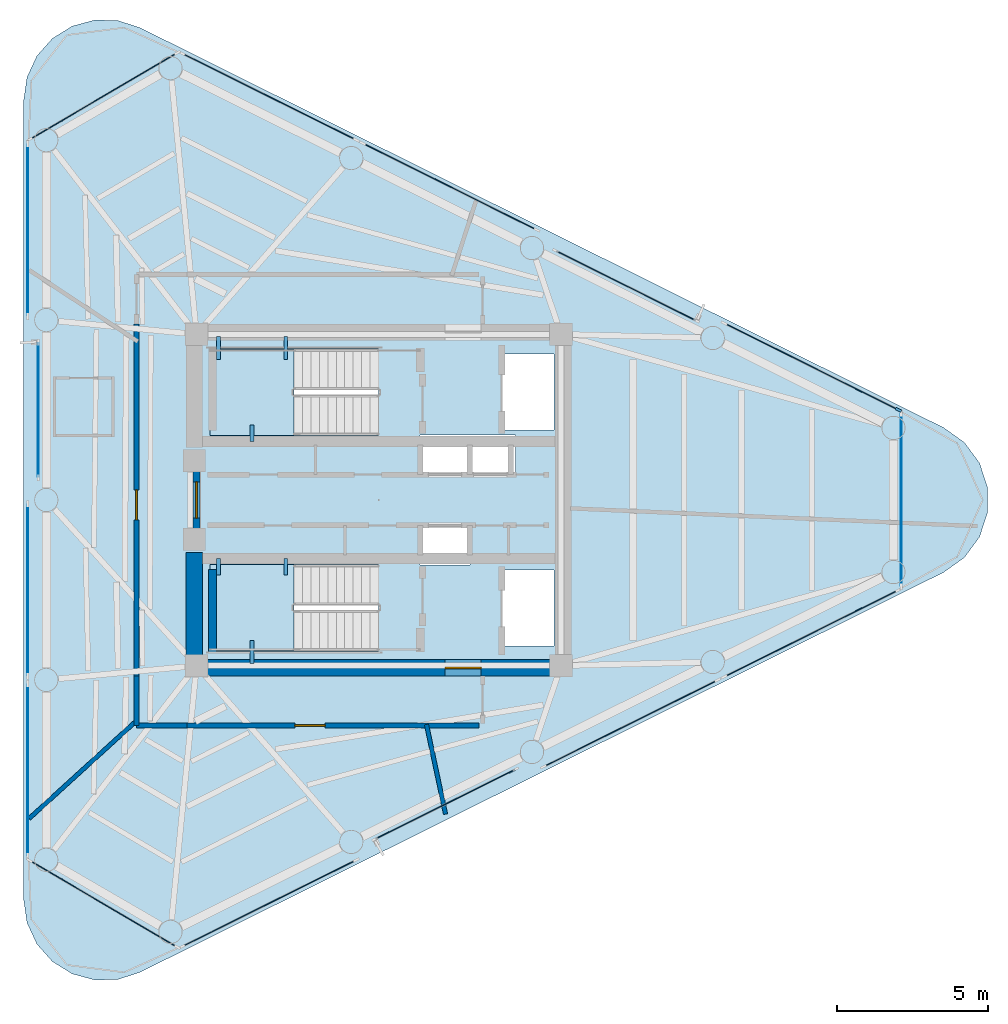
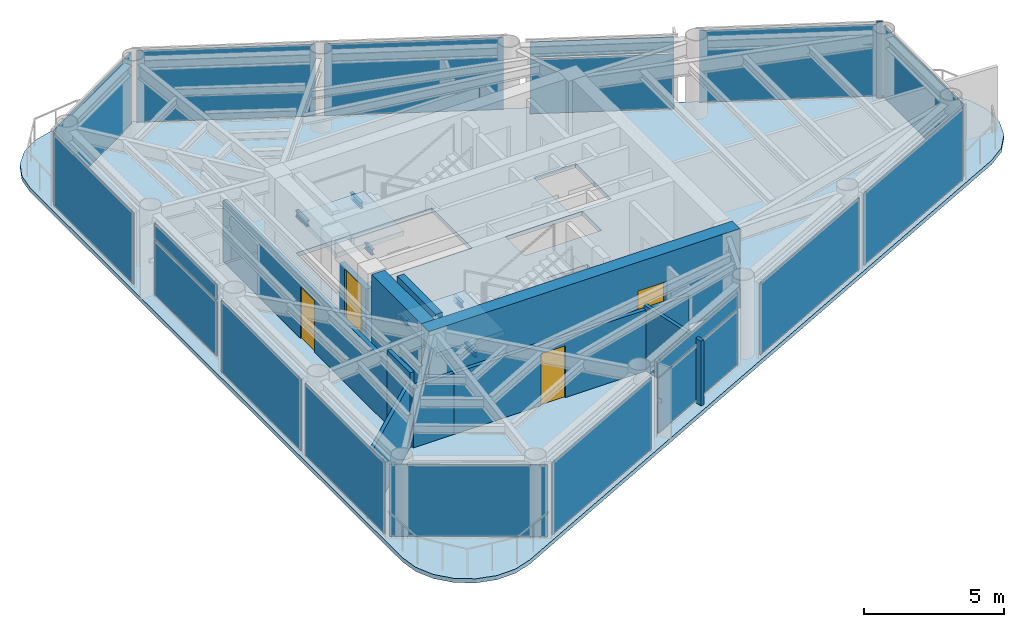
# One storey, part 4 of 10: 18 plates, 10 walls, 6 beams, 4 doors, 3 slabs, 1 member, 4 openings, 17 elements without a shape of their own.
"""IFC4 building model written with IfcOpenShell, lengths in metres."""

from ifc_helpers import new_model, si_unit, direction, frame, frame_2d, origin, origin_2d, place, context, subcontext, project, spatial, polyline, rectangle, i_section, outline, extrude, source, transform, mapped, material, layer, layer_set, material_profile, profile_set, type_object, element, fill, aggregate, save


model = new_model("IFC4")

# Units and contexts
model_context = context("Model", 3, precision=1e-05, world=origin(), true_north=direction((0.0, 1.0)))
body_context = subcontext(model_context, "Body", "Model", "MODEL_VIEW")
ifc_project = project(units=[si_unit("LENGTHUNIT", "METRE"), si_unit("AREAUNIT", "SQUARE_METRE"), si_unit("VOLUMEUNIT", "CUBIC_METRE"), si_unit("PLANEANGLEUNIT", "RADIAN"), si_unit("MASSUNIT", "GRAM", prefix="KILO")], contexts=[model_context])

# Site, building, storey
site_placement = place(None, origin())
site = spatial("IfcSite", under=ifc_project, at=site_placement, CompositionType="ELEMENT")
building_placement = place(site_placement, origin())
building = spatial("IfcBuilding", under=site, at=building_placement, Name="Yunling Apex Tower", CompositionType="ELEMENT")
storey_placement = place(building_placement, frame((0.0, 0.0, 296.75)))
storey = spatial("IfcBuildingStorey", under=building, at=storey_placement, Name="L72", CompositionType="ELEMENT", Elevation=296.75)

# Beams
ifc_material_1 = material(Name="Steel Q355B", Category="steel")
ifc_material_profile_1 = material_profile(ifc_material_1, i_section(OverallWidth=0.125, OverallDepth=0.25, WebThickness=0.006103515625, FlangeThickness=0.009033203125, FilletRadius=0.011962890625, at=origin_2d()))
ifc_profile_set_1 = profile_set([ifc_material_profile_1], Name="Steel Q355B")
beam_type = type_object("IfcBeamType", Name="BL-LNT-1", PredefinedType="LINTEL", material=ifc_profile_set_1)
shared_shape_1 = source(origin(), body_context, "Body", "SweptSolid", [
    extrude(i_section(OverallWidth=0.125, OverallDepth=0.25, WebThickness=0.006103515625, FlangeThickness=0.009033203125, FilletRadius=0.011962890625, at=origin_2d()), origin(), (0.0, 0.0, 1.0), 0.760009765625),
])
for number, where, z_axis, x_axis, name in (
    (1, (-5.320068359375, 5.419921875, 1.405029296875), (0.0, -1.0, 0.0), (1.0, 0.0, 0.0), "L72 ST-1 Landing Bearing Corbel 1-1"),
    (2, (-3.090087890625, 5.419921875, 1.405029296875), (0.0, -1.0, 0.0), (1.0, 0.0, 0.0), "L72 ST-1 Landing Bearing Corbel 1-2"),
    (3, (-4.205078125, -5.419921875, 1.405029296875), (0.0, 1.0, 0.0), (-1.0, 0.0, 0.0), "L72 ST-2 Landing Bearing Corbel 1-3"),
):
    element("IfcBeam", number, at=place(storey_placement, frame(where, z_axis=z_axis, x_axis=x_axis)), inside=storey, type_object=beam_type, Name=name, PredefinedType="LINTEL", context=body_context, shape_type="MappedRepresentation", body=[
        mapped(shared_shape_1, transform((0.0, 0.0, 0.0), scale=1.0)),
    ])
shared_shape_2 = source(origin(), body_context, "Body", "SweptSolid", [
    extrude(i_section(OverallWidth=0.125, OverallDepth=0.25, WebThickness=0.006103515625, FlangeThickness=0.009033203125, FilletRadius=0.011962890625, at=origin_2d()), origin(), (0.0, 0.0, 1.0), 0.550048828125),
])
for number, where, z_axis, x_axis, name in (
    (4, (-4.205078125, 1.93994140625, 1.405029296875), (0.0, 1.0, 0.0), (-1.0, 0.0, 0.0), "L72 ST-1 Landing Bearing Corbel 1-3"),
    (5, (-5.320068359375, -1.93994140625, 1.405029296875), (0.0, -1.0, 0.0), (1.0, 0.0, 0.0), "L72 ST-2 Landing Bearing Corbel 1-1"),
    (6, (-3.090087890625, -1.93994140625, 1.405029296875), (0.0, -1.0, 0.0), (1.0, 0.0, 0.0), "L72 ST-2 Landing Bearing Corbel 1-2"),
):
    element("IfcBeam", number, at=place(storey_placement, frame(where, z_axis=z_axis, x_axis=x_axis)), inside=storey, type_object=beam_type, Name=name, PredefinedType="LINTEL", context=body_context, shape_type="MappedRepresentation", body=[
        mapped(shared_shape_2, transform((0.0, 0.0, 0.0), scale=1.0)),
    ])

# Curtain wall, member
ifc_material_2 = material(Name="Bronze anodised aluminium", Category="aluminium")
ifc_layer_1 = layer(ifc_material_2, 0.219970703125)
ifc_layer_set_1 = layer_set([ifc_layer_1], Name="Bronze anodised aluminium")
curtain_wall_type = type_object("IfcCurtainWallType", Name="CW-SYS-4", PredefinedType="NOTDEFINED", material=ifc_layer_set_1)
curtain_wall_1_placement = place(storey_placement, origin())
curtain_wall_1 = element("IfcCurtainWall", 7, at=curtain_wall_1_placement, inside=storey, type_object=curtain_wall_type, Name="CW-L72-F2-B1", PredefinedType="NOTDEFINED")
ifc_material_profile_2 = material_profile(ifc_material_2, rectangle(XDim=0.080078125, YDim=0.219970703125, at=origin_2d()))
ifc_profile_set_2 = profile_set([ifc_material_profile_2], Name="Bronze anodised aluminium")
member_type = type_object("IfcMemberType", Name="CW-MUL-4", PredefinedType="MULLION", material=ifc_profile_set_2)
shared_shape_3 = source(origin(), body_context, "Body", "SweptSolid", [
    extrude(rectangle(XDim=0.080078125, YDim=0.219970703125, at=origin_2d()), origin(), (0.0, 0.0, 1.0), 3.3701171875),
])
member_placement = place(storey_placement, frame((17.2509765625, 2.990966796875, -0.050048828125), z_axis=(0.0, 0.0, 1.0), x_axis=(-0.445568135078, -0.895248030996, 0.0)))
member = element("IfcMember", 8, at=member_placement, type_object=member_type, Name="CW-SYS-4 mullion 1", PredefinedType="MULLION", context=body_context, shape_type="MappedRepresentation", body=[
    mapped(shared_shape_3, transform((0.0, 0.0, 0.0), scale=1.0)),
])

# Slab
ifc_material_3 = material(Name="Concrete C40", Category="concrete")
ifc_layer_2 = layer(ifc_material_3, 0.155029296875)
ifc_layer_set_2 = layer_set([ifc_layer_2], Name="Concrete C40")
slab_type_1 = type_object("IfcSlabType", Name="SL-FLR-3", PredefinedType="FLOOR", material=ifc_layer_set_2)
slab_1_placement = place(storey_placement, frame((0.0, 0.0, -0.179931640625)))
element("IfcSlab", 9, at=slab_1_placement, inside=storey, type_object=slab_type_1, Name="L72 Composite Tower Floor Slab", PredefinedType="FLOOR", context=body_context, shape_type="SweptSolid", body=[
    extrude(outline(polyline([(-11.787353515625, -13.2724609375), (-11.675048828125, -14.039794921875), (-11.347900390625, -14.742919921875), (-10.833251953125, -15.322998046875), (-10.173828125, -15.731201171875), (-9.42529296875, -15.93359375), (-8.650146484375, -15.913330078125), (-7.9130859375, -15.671875), (18.754150390625, -2.3994140625), (19.442138671875, -1.90771484375), (19.94287109375, -1.226318359375), (20.206298828125, -0.4228515625), (20.206298828125, 0.4228515625), (19.94287109375, 1.226318359375), (19.442138671875, 1.90771484375), (18.754150390625, 2.3994140625), (-7.9130859375, 15.671875), (-8.650146484375, 15.913330078125), (-9.42529296875, 15.93359375), (-10.173828125, 15.731201171875), (-10.833251953125, 15.322998046875), (-11.347900390625, 14.742919921875), (-11.675048828125, 14.039794921875), (-11.787353515625, 13.2724609375), (-11.787353515625, -13.2724609375)]), holes=[polyline([(4.090087890625, 4.840087890625), (5.81005859375, 4.840087890625), (5.81005859375, 2.320068359375), (4.090087890625, 2.320068359375), (4.090087890625, 4.840087890625)]), polyline([(4.090087890625, -4.840087890625), (4.090087890625, -2.320068359375), (5.81005859375, -2.320068359375), (5.81005859375, -4.840087890625), (4.090087890625, -4.840087890625)]), polyline([(4.534912109375, 0.794921875), (1.364990234375, 0.794921875), (1.364990234375, 2.1650390625), (4.534912109375, 2.1650390625), (4.534912109375, 0.794921875)]), polyline([(1.364990234375, -0.794921875), (3.034912109375, -0.794921875), (3.034912109375, -2.1650390625), (1.364990234375, -2.1650390625), (1.364990234375, -0.794921875)]), polyline([(-0.010009765625, -5.010009765625), (-5.60009765625, -5.010009765625), (-5.60009765625, -2.139892578125), (-0.010009765625, -2.139892578125), (-0.010009765625, -5.010009765625)]), polyline([(-0.010009765625, 2.139892578125), (-5.60009765625, 2.139892578125), (-5.60009765625, 5.010009765625), (-0.010009765625, 5.010009765625), (-0.010009765625, 2.139892578125)])]), origin(), (0.0, 0.0, 1.0), 0.179931640625),
])

# Stair, slab
stair_type = type_object("IfcStairType", Name="ST-TWR-3", PredefinedType="HALF_TURN_STAIR", material=ifc_material_3)
stair_1_placement = place(storey_placement, origin())
stair_1 = element("IfcStair", 10, at=stair_1_placement, inside=storey, type_object=stair_type, Name="L72 North Core Smokeproof Exit Stair ST-1", PredefinedType="HALF_TURN_STAIR")
ifc_layer_3 = layer(ifc_material_3, 0.195068359375)
ifc_layer_set_3 = layer_set([ifc_layer_3], Name="Concrete C40")
slab_type_2 = type_object("IfcSlabType", Name="SL-LND-1", PredefinedType="LANDING", material=ifc_layer_set_3)
slab_2_placement = place(storey_placement, frame((0.0, 0.0, 1.530029296875)))
slab_2 = element("IfcSlab", 11, at=slab_2_placement, type_object=slab_type_2, Name="ST-1 landing 1", PredefinedType="LANDING", context=body_context, shape_type="SweptSolid", body=[
    extrude(outline(polyline([(-2.81005859375, 5.010009765625), (-5.60009765625, 5.010009765625), (-5.60009765625, 2.139892578125), (-2.81005859375, 2.139892578125), (-2.81005859375, 5.010009765625)])), origin(), (0.0, 0.0, 1.0), 0.195068359375),
])
aggregate(stair_1, [slab_2])

stair_2_placement = place(storey_placement, origin())
stair_2 = element("IfcStair", 12, at=stair_2_placement, inside=storey, type_object=stair_type, Name="L72 South Core Smokeproof Exit Stair ST-2", PredefinedType="HALF_TURN_STAIR")
slab_3_placement = place(storey_placement, frame((0.0, 0.0, 1.530029296875)))
slab_3 = element("IfcSlab", 13, at=slab_3_placement, type_object=slab_type_2, Name="ST-2 landing 1", PredefinedType="LANDING", context=body_context, shape_type="SweptSolid", body=[
    extrude(outline(polyline([(-2.81005859375, -2.139892578125), (-5.60009765625, -2.139892578125), (-5.60009765625, -5.010009765625), (-2.81005859375, -5.010009765625), (-2.81005859375, -2.139892578125)])), origin(), (0.0, 0.0, 1.0), 0.195068359375),
])
aggregate(stair_2, [slab_3])

# Curtain wall, plate
curtain_wall_2_placement = place(storey_placement, origin())
curtain_wall_2 = element("IfcCurtainWall", 14, at=curtain_wall_2_placement, inside=storey, type_object=curtain_wall_type, Name="CW-L72-F1-B1", PredefinedType="NOTDEFINED")
ifc_material_4 = material(Name="Bronze tinted low-E glass", Category="glass")
ifc_layer_4 = layer(ifc_material_4, 0.030029296875)
ifc_layer_set_4 = layer_set([ifc_layer_4], Name="Bronze tinted low-E glass")
plate_type = type_object("IfcPlateType", Name="CW-PNL-4", PredefinedType="CURTAIN_PANEL", material=ifc_layer_set_4)
shared_shape_4 = source(origin(), body_context, "Body", "SweptSolid", [
    extrude(rectangle(XDim=6.398193359375, YDim=0.030029296875, at=origin_2d()), origin(), (0.0, 0.0, 1.0), 3.1259765625),
])
plate_1_placement = place(storey_placement, frame((-3.64208984375, -13.3896484375, 0.072021484375), z_axis=(0.0, 0.0, 1.0), x_axis=(0.895248030996, 0.445568135078, 0.0)))
plate_1 = element("IfcPlate", 15, at=plate_1_placement, type_object=plate_type, Name="CW-SYS-4 panel 1.1", PredefinedType="CURTAIN_PANEL", context=body_context, shape_type="MappedRepresentation", body=[
    mapped(shared_shape_4, transform((0.0, 0.0, 0.0), scale=1.0)),
])
aggregate(curtain_wall_2, [plate_1])

curtain_wall_3_placement = place(storey_placement, origin())
curtain_wall_3 = element("IfcCurtainWall", 16, at=curtain_wall_3_placement, inside=storey, type_object=curtain_wall_type, Name="CW-L72-F1-B3", PredefinedType="NOTDEFINED")
plate_2_placement = place(storey_placement, frame((8.358154296875, -7.4169921875, 0.072021484375), z_axis=(0.0, 0.0, 1.0), x_axis=(0.895241933715, 0.445580385698, 0.0)))
plate_2 = element("IfcPlate", 17, at=plate_2_placement, type_object=plate_type, Name="CW-SYS-4 panel 1.1", PredefinedType="CURTAIN_PANEL", context=body_context, shape_type="MappedRepresentation", body=[
    mapped(shared_shape_4, transform((0.0, 0.0, 0.0), scale=1.0)),
])
aggregate(curtain_wall_3, [plate_2])

curtain_wall_4_placement = place(storey_placement, origin())
curtain_wall_4 = element("IfcCurtainWall", 18, at=curtain_wall_4_placement, inside=storey, type_object=curtain_wall_type, Name="CW-L72-F1-B4", PredefinedType="NOTDEFINED")
plate_3_placement = place(storey_placement, frame((14.358154296875, -4.4306640625, 0.072021484375), z_axis=(0.0, 0.0, 1.0), x_axis=(0.895248030996, 0.445568135078, 0.0)))
plate_3 = element("IfcPlate", 19, at=plate_3_placement, type_object=plate_type, Name="CW-SYS-4 panel 1.1", PredefinedType="CURTAIN_PANEL", context=body_context, shape_type="MappedRepresentation", body=[
    mapped(shared_shape_4, transform((0.0, 0.0, 0.0), scale=1.0)),
])
aggregate(curtain_wall_4, [plate_3])

# Plate
plate_4_placement = place(storey_placement, frame((14.358154296875, 4.4306640625, 0.072021484375), z_axis=(0.0, 0.0, 1.0), x_axis=(-0.895248030996, 0.445568135078, 0.0)))
plate_4 = element("IfcPlate", 20, at=plate_4_placement, type_object=plate_type, Name="CW-SYS-4 panel 1.1", PredefinedType="CURTAIN_PANEL", context=body_context, shape_type="MappedRepresentation", body=[
    mapped(shared_shape_4, transform((0.0, 0.0, 0.0), scale=1.0)),
])

aggregate(curtain_wall_1, [member, plate_4])

# Curtain wall, plate
curtain_wall_5_placement = place(storey_placement, origin())
curtain_wall_5 = element("IfcCurtainWall", 21, at=curtain_wall_5_placement, inside=storey, type_object=curtain_wall_type, Name="CW-L72-F2-B3", PredefinedType="NOTDEFINED")
plate_5_placement = place(storey_placement, frame((2.35791015625, 10.4033203125, 0.072021484375), z_axis=(0.0, 0.0, 1.0), x_axis=(-0.895251065549, 0.445562037917, 0.0)))
plate_5 = element("IfcPlate", 22, at=plate_5_placement, type_object=plate_type, Name="CW-SYS-4 panel 1.1", PredefinedType="CURTAIN_PANEL", context=body_context, shape_type="MappedRepresentation", body=[
    mapped(shared_shape_4, transform((0.0, 0.0, 0.0), scale=1.0)),
])
aggregate(curtain_wall_5, [plate_5])

curtain_wall_6_placement = place(storey_placement, origin())
curtain_wall_6 = element("IfcCurtainWall", 23, at=curtain_wall_6_placement, inside=storey, type_object=curtain_wall_type, Name="CW-L72-F2-B4", PredefinedType="NOTDEFINED")
plate_6_placement = place(storey_placement, frame((-3.64208984375, 13.3896484375, 0.072021484375), z_axis=(0.0, 0.0, 1.0), x_axis=(-0.895248030996, 0.445568135078, 0.0)))
plate_6 = element("IfcPlate", 24, at=plate_6_placement, type_object=plate_type, Name="CW-SYS-4 panel 1.1", PredefinedType="CURTAIN_PANEL", context=body_context, shape_type="MappedRepresentation", body=[
    mapped(shared_shape_4, transform((0.0, 0.0, 0.0), scale=1.0)),
])
aggregate(curtain_wall_6, [plate_6])

curtain_wall_7_placement = place(storey_placement, origin())
curtain_wall_7 = element("IfcCurtainWall", 25, at=curtain_wall_7_placement, inside=storey, type_object=curtain_wall_type, Name="CW-L72-F1-B2", PredefinedType="NOTDEFINED")
shared_shape_5 = source(origin(), body_context, "Body", "SweptSolid", [
    extrude(rectangle(XDim=5.158203125, YDim=0.030029296875, at=origin_2d()), origin(), (0.0, 0.0, 1.0), 2.381103515625),
])
plate_7_placement = place(storey_placement, frame((2.20654296875, -10.09912109375, 0.072265625), z_axis=(0.0, 0.0, 1.0), x_axis=(0.895251720611, 0.445560721723, 0.0)))
plate_7 = element("IfcPlate", 26, at=plate_7_placement, type_object=plate_type, Name="CW-SYS-4 panel 1.1", PredefinedType="CURTAIN_PANEL", context=body_context, shape_type="MappedRepresentation", body=[
    mapped(shared_shape_5, transform((0.0, 0.0, 0.0), scale=1.0)),
])

curtain_wall_8_placement = place(storey_placement, origin())
curtain_wall_8 = element("IfcCurtainWall", 27, at=curtain_wall_8_placement, inside=storey, type_object=curtain_wall_type, Name="CW-L72-F2-B2", PredefinedType="NOTDEFINED")
plate_8_placement = place(storey_placement, frame((8.206787109375, 7.11279296875, 0.072265625), z_axis=(0.0, 0.0, 1.0), x_axis=(-0.895240453185, 0.445583360305, 0.0)))
plate_8 = element("IfcPlate", 28, at=plate_8_placement, type_object=plate_type, Name="CW-SYS-4 panel 1.1", PredefinedType="CURTAIN_PANEL", context=body_context, shape_type="MappedRepresentation", body=[
    mapped(shared_shape_5, transform((0.0, 0.0, 0.0), scale=1.0)),
])

# Plate
shared_shape_6 = source(origin(), body_context, "Body", "SweptSolid", [
    extrude(rectangle(XDim=5.158203125, YDim=0.030029296875, at=origin_2d()), origin(), (0.0, 0.0, 1.0), 0.680908203125),
])
plate_9_placement = place(storey_placement, frame((2.20654296875, -10.09912109375, 2.51708984375), z_axis=(0.0, 0.0, 1.0), x_axis=(0.895251720611, 0.445560721723, 0.0)))
plate_9 = element("IfcPlate", 29, at=plate_9_placement, type_object=plate_type, Name="CW-SYS-4 panel 1.2", PredefinedType="CURTAIN_PANEL", context=body_context, shape_type="MappedRepresentation", body=[
    mapped(shared_shape_6, transform((0.0, 0.0, 0.0), scale=1.0)),
])

aggregate(curtain_wall_7, [plate_7, plate_9])

plate_10_placement = place(storey_placement, frame((8.206787109375, 7.11279296875, 2.51708984375), z_axis=(0.0, 0.0, 1.0), x_axis=(-0.895240453185, 0.445583360305, 0.0)))
plate_10 = element("IfcPlate", 30, at=plate_10_placement, type_object=plate_type, Name="CW-SYS-4 panel 1.2", PredefinedType="CURTAIN_PANEL", context=body_context, shape_type="MappedRepresentation", body=[
    mapped(shared_shape_6, transform((0.0, 0.0, 0.0), scale=1.0)),
])

aggregate(curtain_wall_8, [plate_8, plate_10])

# Curtain wall, plate
curtain_wall_9_placement = place(storey_placement, origin())
curtain_wall_9 = element("IfcCurtainWall", 31, at=curtain_wall_9_placement, inside=storey, type_object=curtain_wall_type, Name="CW-L72-CRN1", PredefinedType="NOTDEFINED")
shared_shape_7 = source(origin(), body_context, "Body", "SweptSolid", [
    extrude(rectangle(XDim=5.6953125, YDim=0.030029296875, at=origin_2d()), origin(), (0.0, 0.0, 1.0), 3.1259765625),
])
plate_11_placement = place(storey_placement, frame((17.349365234375, 0.0, 0.072021484375), z_axis=(0.0, 0.0, 1.0), x_axis=(0.0, 1.0, 0.0)))
plate_11 = element("IfcPlate", 32, at=plate_11_placement, type_object=plate_type, Name="CW-SYS-4 panel 1.1", PredefinedType="CURTAIN_PANEL", context=body_context, shape_type="MappedRepresentation", body=[
    mapped(shared_shape_7, transform((0.0, 0.0, 0.0), scale=1.0)),
])
aggregate(curtain_wall_9, [plate_11])

curtain_wall_10_placement = place(storey_placement, origin())
curtain_wall_10 = element("IfcCurtainWall", 33, at=curtain_wall_10_placement, inside=storey, type_object=curtain_wall_type, Name="CW-L72-CRN2", PredefinedType="NOTDEFINED")
shared_shape_8 = source(origin(), body_context, "Body", "SweptSolid", [
    extrude(rectangle(XDim=5.62548828125, YDim=0.030029296875, at=origin_2d()), origin(), (0.0, 0.0, 1.0), 3.1259765625),
])
plate_12_placement = place(storey_placement, frame((-9.13916015625, 13.405029296875, 0.072021484375), z_axis=(0.0, 0.0, 1.0), x_axis=(-0.862499991399, -0.506057076658, 0.0)))
plate_12 = element("IfcPlate", 34, at=plate_12_placement, type_object=plate_type, Name="CW-SYS-4 panel 1.1", PredefinedType="CURTAIN_PANEL", context=body_context, shape_type="MappedRepresentation", body=[
    mapped(shared_shape_8, transform((0.0, 0.0, 0.0), scale=1.0)),
])
aggregate(curtain_wall_10, [plate_12])

curtain_wall_11_placement = place(storey_placement, origin())
curtain_wall_11 = element("IfcCurtainWall", 35, at=curtain_wall_11_placement, inside=storey, type_object=curtain_wall_type, Name="CW-L72-CRN3", PredefinedType="NOTDEFINED")
plate_13_placement = place(storey_placement, frame((-9.13916015625, -13.405029296875, 0.072021484375), z_axis=(0.0, 0.0, 1.0), x_axis=(0.862492426173, -0.506069970256, 0.0)))
plate_13 = element("IfcPlate", 36, at=plate_13_placement, type_object=plate_type, Name="CW-SYS-4 panel 1.1", PredefinedType="CURTAIN_PANEL", context=body_context, shape_type="MappedRepresentation", body=[
    mapped(shared_shape_8, transform((0.0, 0.0, 0.0), scale=1.0)),
])
aggregate(curtain_wall_11, [plate_13])

curtain_wall_12_placement = place(storey_placement, origin())
curtain_wall_12 = element("IfcCurtainWall", 37, at=curtain_wall_12_placement, inside=storey, type_object=curtain_wall_type, Name="CW-L72-F3-B1", PredefinedType="NOTDEFINED")
shared_shape_9 = source(origin(), body_context, "Body", "SweptSolid", [
    extrude(rectangle(XDim=5.668701171875, YDim=0.030029296875, at=origin_2d()), origin(), (0.0, 0.0, 1.0), 3.1259765625),
])
plate_14_placement = place(storey_placement, frame((-11.647216796875, 8.958984375, 0.072021484375), z_axis=(0.0, 0.0, 1.0), x_axis=(0.0, -1.0, 0.0)))
plate_14 = element("IfcPlate", 38, at=plate_14_placement, type_object=plate_type, Name="CW-SYS-4 panel 1.1", PredefinedType="CURTAIN_PANEL", context=body_context, shape_type="MappedRepresentation", body=[
    mapped(shared_shape_9, transform((0.0, 0.0, 0.0), scale=1.0)),
])
aggregate(curtain_wall_12, [plate_14])

curtain_wall_13_placement = place(storey_placement, origin())
curtain_wall_13 = element("IfcCurtainWall", 39, at=curtain_wall_13_placement, inside=storey, type_object=curtain_wall_type, Name="CW-L72-F3-B3", PredefinedType="NOTDEFINED")
plate_15_placement = place(storey_placement, frame((-11.647216796875, -2.986328125, 0.072021484375), z_axis=(0.0, 0.0, 1.0), x_axis=(0.0, -1.0, 0.0)))
plate_15 = element("IfcPlate", 40, at=plate_15_placement, type_object=plate_type, Name="CW-SYS-4 panel 1.1", PredefinedType="CURTAIN_PANEL", context=body_context, shape_type="MappedRepresentation", body=[
    mapped(shared_shape_9, transform((0.0, 0.0, 0.0), scale=1.0)),
])
aggregate(curtain_wall_13, [plate_15])

curtain_wall_14_placement = place(storey_placement, origin())
curtain_wall_14 = element("IfcCurtainWall", 41, at=curtain_wall_14_placement, inside=storey, type_object=curtain_wall_type, Name="CW-L72-F3-B4", PredefinedType="NOTDEFINED")
plate_16_placement = place(storey_placement, frame((-11.647216796875, -8.958984375, 0.072021484375), z_axis=(0.0, 0.0, 1.0), x_axis=(0.0, -1.0, 0.0)))
plate_16 = element("IfcPlate", 42, at=plate_16_placement, type_object=plate_type, Name="CW-SYS-4 panel 1.1", PredefinedType="CURTAIN_PANEL", context=body_context, shape_type="MappedRepresentation", body=[
    mapped(shared_shape_9, transform((0.0, 0.0, 0.0), scale=1.0)),
])
aggregate(curtain_wall_14, [plate_16])

# Curtain wall, plates
curtain_wall_15_placement = place(storey_placement, origin())
curtain_wall_15 = element("IfcCurtainWall", 43, at=curtain_wall_15_placement, inside=storey, type_object=curtain_wall_type, Name="CW-L72-F3-B2", PredefinedType="NOTDEFINED")
shared_shape_10 = source(origin(), body_context, "Body", "SweptSolid", [
    extrude(rectangle(XDim=4.4287109375, YDim=0.030029296875, at=origin_2d()), origin(), (0.0, 0.0, 1.0), 2.381103515625),
])
plate_17_placement = place(storey_placement, frame((-11.307373046875, 2.986328125, 0.072265625), z_axis=(0.0, 0.0, 1.0), x_axis=(0.0, -1.0, 0.0)))
plate_17 = element("IfcPlate", 44, at=plate_17_placement, type_object=plate_type, Name="CW-SYS-4 panel 1.1", PredefinedType="CURTAIN_PANEL", context=body_context, shape_type="MappedRepresentation", body=[
    mapped(shared_shape_10, transform((0.0, 0.0, 0.0), scale=1.0)),
])
shared_shape_11 = source(origin(), body_context, "Body", "SweptSolid", [
    extrude(rectangle(XDim=4.4287109375, YDim=0.030029296875, at=origin_2d()), origin(), (0.0, 0.0, 1.0), 0.680908203125),
])
plate_18_placement = place(storey_placement, frame((-11.307373046875, 2.986328125, 2.51708984375), z_axis=(0.0, 0.0, 1.0), x_axis=(0.0, -1.0, 0.0)))
plate_18 = element("IfcPlate", 45, at=plate_18_placement, type_object=plate_type, Name="CW-SYS-4 panel 1.2", PredefinedType="CURTAIN_PANEL", context=body_context, shape_type="MappedRepresentation", body=[
    mapped(shared_shape_11, transform((0.0, 0.0, 0.0), scale=1.0)),
])
aggregate(curtain_wall_15, [plate_17, plate_18])

# Wall, opening, door
ifc_layer_5 = layer(ifc_material_3, 0.550048828125)
ifc_layer_set_5 = layer_set([ifc_layer_5], Name="Concrete C40")
wall_type_1 = type_object("IfcWallType", Name="WL-COR-3", PredefinedType="SHEAR", material=ifc_layer_set_5)
wall_1_placement = place(storey_placement, frame((-6.39990234375, -5.574951171875, 0.0), z_axis=(0.0, 0.0, 1.0), x_axis=(1.0, 0.0, 0.0)))
wall_1 = element("IfcWall", 46, at=wall_1_placement, inside=storey, type_object=wall_type_1, Name="L72 South Core Shear Wall", PredefinedType="SHEAR", context=body_context, shape_type="SweptSolid", body=[
    extrude(rectangle(XDim=12.7998046875, YDim=0.550048828125, at=frame_2d((6.39990234375, 0.0))), origin(), (0.0, 0.0, 1.0), 3.449951171875),
])
opening_1_placement = place(wall_1_placement, frame((8.60009765625, 0.0, 0.0)))
opening_1 = element("IfcOpeningElement", 47, at=opening_1_placement, cuts=wall_1, Name="Opening DR-FFL-1", PredefinedType="OPENING", context=body_context, shape_type="SweptSolid", body=[
    extrude(rectangle(XDim=1.199951171875, YDim=2.199951171875, at=frame_2d((0.60009765625, 1.10009765625))), frame((0.0, 0.28515625, 0.0), z_axis=(0.0, -1.0, 0.0), x_axis=(1.0, 0.0, 0.0)), (0.0, 0.0, 1.0), 0.570068359375),
])
door_type_1 = type_object("IfcDoorType", Name="DR-FFL-1", OperationType="NOTDEFINED", PredefinedType="DOOR", material=ifc_material_1)
door_1_placement = place(opening_1_placement, origin())
door_1 = element("IfcDoor", 48, at=door_1_placement, inside=storey, type_object=door_type_1, Name="L72 South Firefighting Lobby Door", OperationType="SINGLE_SWING_RIGHT", OverallHeight=2.199951171875, OverallWidth=1.199951171875, PredefinedType="DOOR", context=body_context, shape_type="SweptSolid", body=[
    extrude(rectangle(XDim=1.199951171875, YDim=2.199951171875, at=frame_2d((0.60009765625, 1.10009765625))), frame((0.0, 0.02490234375, 0.0), z_axis=(0.0, -1.0, 0.0), x_axis=(1.0, 0.0, 0.0)), (0.0, 0.0, 1.0), 0.050048828125),
])
fill(opening_1, door_1)

# Walls
wall_2_placement = place(storey_placement, frame((-6.125, -5.300048828125, 0.0), z_axis=(0.0, 0.0, 1.0), x_axis=(0.0, 1.0, 0.0)))
element("IfcWall", 49, at=wall_2_placement, inside=storey, type_object=wall_type_1, Name="L72 West-South Core Shear Wall", PredefinedType="SHEAR", context=body_context, shape_type="SweptSolid", body=[
    extrude(rectangle(XDim=3.550048828125, YDim=0.550048828125, at=frame_2d((1.77490234375, 0.0))), origin(), (0.0, 0.0, 1.0), 3.449951171875),
])
ifc_layer_6 = layer(ifc_material_3, 0.280029296875)
ifc_layer_set_6 = layer_set([ifc_layer_6], Name="Concrete C40")
wall_type_2 = type_object("IfcWallType", Name="WL-COR-8", PredefinedType="SHEAR", material=ifc_layer_set_6)
wall_3_placement = place(storey_placement, frame((-5.52001953125, -5.050048828125, 0.0), z_axis=(0.0, 0.0, 1.0), x_axis=(0.0, 1.0, 0.0)))
element("IfcWall", 50, at=wall_3_placement, inside=storey, type_object=wall_type_2, Name="L72 ST-2 West Landing Bearing Wall", PredefinedType="SHEAR", context=body_context, shape_type="SweptSolid", body=[
    extrude(rectangle(XDim=2.75, YDim=0.280029296875, at=frame_2d((1.375, 0.0))), origin(), (0.0, 0.0, 1.0), 3.449951171875),
])

# Wall, opening, door
ifc_material_5 = material(Name="Gypsum board acoustic partition")
ifc_layer_7 = layer(ifc_material_5, 0.159912109375)
ifc_layer_set_7 = layer_set([ifc_layer_7], Name="Gypsum board acoustic partition")
wall_type_3 = type_object("IfcWallType", Name="WL-PRT-1", PredefinedType="PARTITIONING", material=ifc_layer_set_7)
wall_4_placement = place(storey_placement, frame((3.319091796875, -7.489990234375, 0.0), z_axis=(0.0, 0.0, 1.0), x_axis=(-1.0, 0.0, 0.0)))
wall_4 = element("IfcWall", 51, at=wall_4_placement, inside=storey, type_object=wall_type_3, Name="WL-CORR-L72-06", PredefinedType="PARTITIONING", context=body_context, shape_type="SweptSolid", body=[
    extrude(rectangle(XDim=9.67919921875, YDim=0.159912109375, at=frame_2d((4.839599609375, 0.0))), origin(), (0.0, 0.0, 1.0), 2.655029296875),
])
opening_2_placement = place(wall_4_placement, frame((5.101318359375, 0.0, 0.0)))
opening_2 = element("IfcOpeningElement", 52, at=opening_2_placement, cuts=wall_4, Name="Opening DR-OFF-1", PredefinedType="OPENING", context=body_context, shape_type="SweptSolid", body=[
    extrude(rectangle(XDim=1.0, YDim=2.25, at=frame_2d((0.5, 1.125))), frame((0.0, 0.08984375, 0.0), z_axis=(0.0, -1.0, 0.0), x_axis=(1.0, 0.0, 0.0)), (0.0, 0.0, 1.0), 0.179931640625),
])
door_type_2 = type_object("IfcDoorType", Name="DR-OFF-1", OperationType="NOTDEFINED", PredefinedType="DOOR", material=ifc_material_2)
door_2_placement = place(opening_2_placement, origin())
door_2 = element("IfcDoor", 53, at=door_2_placement, inside=storey, type_object=door_type_2, Name="L72 Residents Reading Lounge Door", OperationType="SINGLE_SWING_LEFT", OverallHeight=2.25, OverallWidth=1.0, PredefinedType="DOOR", context=body_context, shape_type="SweptSolid", body=[
    extrude(rectangle(XDim=1.0, YDim=2.25, at=frame_2d((0.5, 1.125))), frame((0.0, 0.02490234375, 0.0), z_axis=(0.0, -1.0, 0.0), x_axis=(1.0, 0.0, 0.0)), (0.0, 0.0, 1.0), 0.050048828125),
])
fill(opening_2, door_2)

# Walls
wall_5_placement = place(storey_placement, frame((-6.360107421875, -7.489990234375, 0.0), z_axis=(0.0, 0.0, 1.0), x_axis=(-1.0, 0.0, 0.0)))
element("IfcWall", 54, at=wall_5_placement, inside=storey, type_object=wall_type_3, Name="WL-CORR-L72-07", PredefinedType="PARTITIONING", context=body_context, shape_type="SweptSolid", body=[
    extrude(rectangle(XDim=1.679931640625, YDim=0.159912109375, at=frame_2d((0.83984375, 0.0))), origin(), (0.0, 0.0, 1.0), 2.655029296875),
])
wall_6_placement = place(storey_placement, frame((-8.0400390625, -7.489990234375, 0.0), z_axis=(0.0, 0.0, 1.0), x_axis=(0.0, 1.0, 0.0)))
element("IfcWall", 55, at=wall_6_placement, inside=storey, type_object=wall_type_3, Name="WL-CORR-L72-08", PredefinedType="PARTITIONING", context=body_context, shape_type="SweptSolid", body=[
    extrude(rectangle(XDim=1.639892578125, YDim=0.159912109375, at=frame_2d((0.81982421875, 0.0))), origin(), (0.0, 0.0, 1.0), 3.25),
])

# Wall, opening, door
wall_7_placement = place(storey_placement, frame((-8.0400390625, -5.85009765625, 0.0), z_axis=(0.0, 0.0, 1.0), x_axis=(0.0, 1.0, 0.0)))
wall_7 = element("IfcWall", 56, at=wall_7_placement, inside=storey, type_object=wall_type_3, Name="WL-CORR-L72-09", PredefinedType="PARTITIONING", context=body_context, shape_type="SweptSolid", body=[
    extrude(rectangle(XDim=11.7001953125, YDim=0.159912109375, at=frame_2d((5.85009765625, 0.0))), origin(), (0.0, 0.0, 1.0), 2.655029296875),
])
opening_3_placement = place(wall_7_placement, frame((5.188720703125, 0.0, 0.0)))
opening_3 = element("IfcOpeningElement", 57, at=opening_3_placement, cuts=wall_7, Name="Opening DR-OFF-1", PredefinedType="OPENING", context=body_context, shape_type="SweptSolid", body=[
    extrude(rectangle(XDim=1.0, YDim=2.25, at=frame_2d((0.5, 1.125))), frame((0.0, 0.08984375, 0.0), z_axis=(0.0, -1.0, 0.0), x_axis=(1.0, 0.0, 0.0)), (0.0, 0.0, 1.0), 0.179931640625),
])
door_3_placement = place(opening_3_placement, origin())
door_3 = element("IfcDoor", 58, at=door_3_placement, inside=storey, type_object=door_type_2, Name="L72 Parcel Archive Store Door", OperationType="SINGLE_SWING_RIGHT", OverallHeight=2.25, OverallWidth=1.0, PredefinedType="DOOR", context=body_context, shape_type="SweptSolid", body=[
    extrude(rectangle(XDim=1.0, YDim=2.25, at=frame_2d((0.5, 1.125))), frame((0.0, 0.02490234375, 0.0), z_axis=(0.0, -1.0, 0.0), x_axis=(1.0, 0.0, 0.0)), (0.0, 0.0, 1.0), 0.050048828125),
])
fill(opening_3, door_3)

# Walls
ifc_layer_8 = layer(ifc_material_5, 0.139892578125)
ifc_layer_set_8 = layer_set([ifc_layer_8], Name="Gypsum board acoustic partition")
wall_type_4 = type_object("IfcWallType", Name="WL-PRT-2", PredefinedType="PARTITIONING", material=ifc_layer_set_8)
wall_8_placement = place(storey_placement, frame((-8.0, -7.2880859375, 0.0), z_axis=(0.0, 0.0, 1.0), x_axis=(-0.739260540131, -0.673419522886, 0.0)))
element("IfcWall", 59, at=wall_8_placement, inside=storey, type_object=wall_type_4, Name="WL-RAD-L72-04", PredefinedType="PARTITIONING", context=body_context, shape_type="SweptSolid", body=[
    extrude(rectangle(XDim=4.8798828125, YDim=0.139892578125, at=frame_2d((2.43994140625, 0.0))), origin(), (0.0, 0.0, 1.0), 2.81494140625),
])
wall_9_placement = place(storey_placement, frame((1.58349609375, -7.449951171875, 0.0), z_axis=(0.0, 0.0, 1.0), x_axis=(0.207941206443, -0.978141326529, 0.0)))
element("IfcWall", 60, at=wall_9_placement, inside=storey, type_object=wall_type_4, Name="WL-RAD-L72-05", PredefinedType="PARTITIONING", context=body_context, shape_type="SweptSolid", body=[
    extrude(rectangle(XDim=3.045654296875, YDim=0.139892578125, at=frame_2d((1.52294921875, 0.0))), origin(), (0.0, 0.0, 1.0), 2.81494140625),
])

# Wall, opening, door
ifc_material_6 = material(Name="Autoclaved aerated concrete masonry", Category="masonry")
ifc_layer_9 = layer(ifc_material_6, 0.219970703125)
ifc_layer_set_9 = layer_set([ifc_layer_9], Name="Autoclaved aerated concrete masonry")
wall_type_5 = type_object("IfcWallType", Name="WL-SHF-1", PredefinedType="PLUMBINGWALL", material=ifc_layer_set_9)
wall_10_placement = place(storey_placement, frame((-6.050048828125, -0.949951171875, 0.0), z_axis=(0.0, 0.0, 1.0), x_axis=(0.0, 1.0, 0.0)))
wall_10 = element("IfcWall", 61, at=wall_10_placement, inside=storey, type_object=wall_type_5, Name="WL-COR-WPORT-L72", PredefinedType="PLUMBINGWALL", context=body_context, shape_type="SweptSolid", body=[
    extrude(rectangle(XDim=1.89990234375, YDim=0.219970703125, at=frame_2d((0.949951171875, 0.0))), origin(), (0.0, 0.0, 1.0), 2.22998046875),
])
opening_4_placement = place(wall_10_placement, frame((0.35009765625, 0.0, 0.0)))
opening_4 = element("IfcOpeningElement", 62, at=opening_4_placement, cuts=wall_10, Name="Opening DR-FFL-1", PredefinedType="OPENING", context=body_context, shape_type="SweptSolid", body=[
    extrude(rectangle(XDim=1.199951171875, YDim=2.199951171875, at=frame_2d((0.60009765625, 1.10009765625))), frame((0.0, 0.1201171875, 0.0), z_axis=(0.0, -1.0, 0.0), x_axis=(1.0, 0.0, 0.0)), (0.0, 0.0, 1.0), 0.239990234375),
])
door_4_placement = place(opening_4_placement, origin())
door_4 = element("IfcDoor", 63, at=door_4_placement, inside=storey, type_object=door_type_1, Name="L72 Passenger Lift Lobby Entrance Door", OperationType="SINGLE_SWING_RIGHT", OverallHeight=2.199951171875, OverallWidth=1.199951171875, PredefinedType="DOOR", context=body_context, shape_type="SweptSolid", body=[
    extrude(rectangle(XDim=1.199951171875, YDim=2.199951171875, at=frame_2d((0.60009765625, 1.10009765625))), frame((0.0, 0.02490234375, 0.0), z_axis=(0.0, -1.0, 0.0), x_axis=(1.0, 0.0, 0.0)), (0.0, 0.0, 1.0), 0.050048828125),
])
fill(opening_4, door_4)

save(model, "model.ifc")
